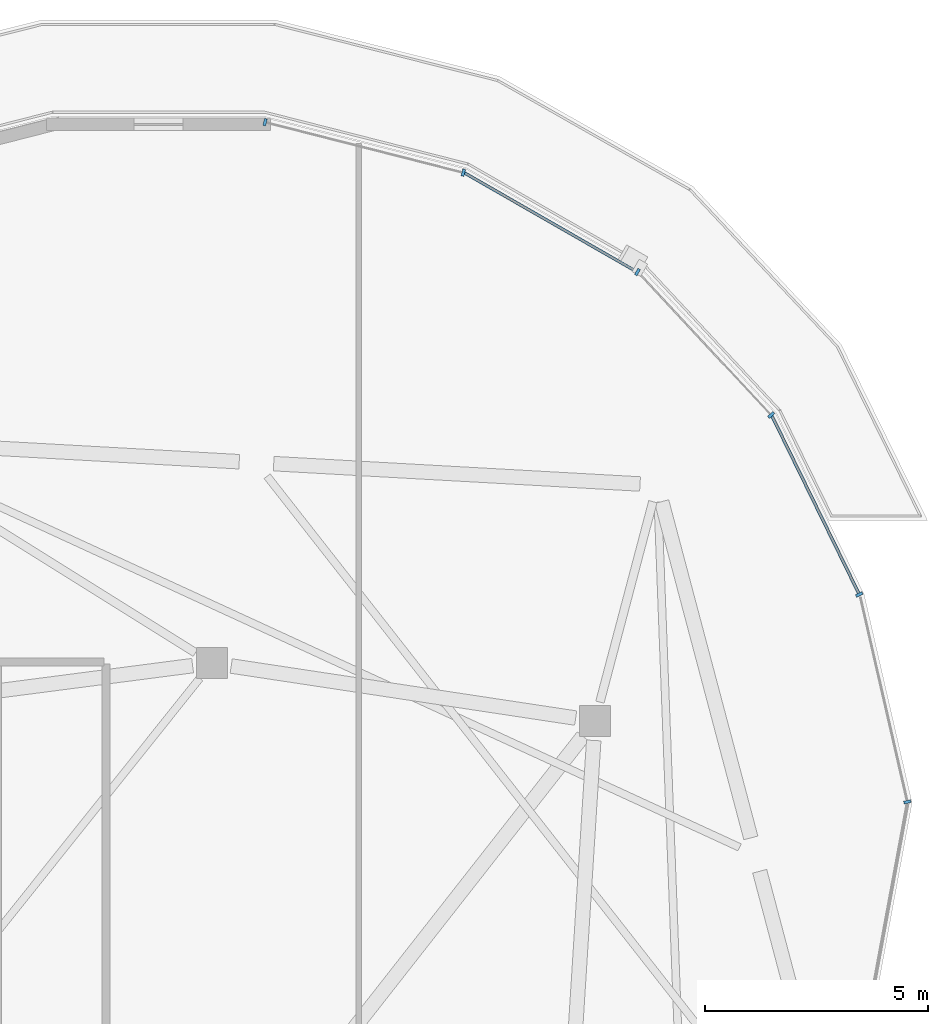
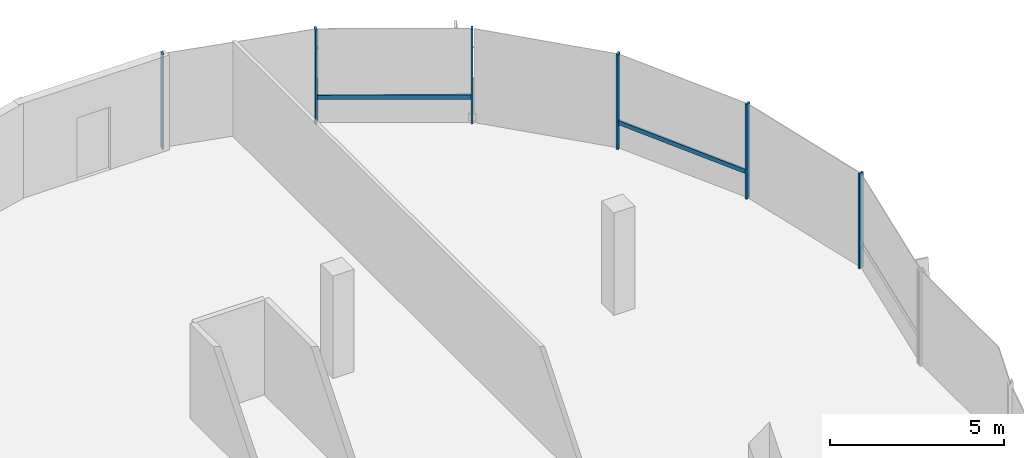
# One storey, part 17 of 31: 8 members, 1 element without a shape of its own.
"""IFC4 building model written with IfcOpenShell, lengths in metres."""

from ifc_helpers import new_model, si_unit, direction, frame, origin, origin_2d, place, context, subcontext, project, spatial, rectangle, extrude, material, material_profile, profile_set, type_object, element, aggregate, save


model = new_model("IFC4")

# Units and contexts
model_context = context("Model", 3, precision=1e-05, world=origin(), true_north=direction((0.0, 1.0)))
body_context = subcontext(model_context, "Body", "Model", "MODEL_VIEW")
ifc_project = project(units=[si_unit("LENGTHUNIT", "METRE"), si_unit("AREAUNIT", "SQUARE_METRE"), si_unit("VOLUMEUNIT", "CUBIC_METRE"), si_unit("PLANEANGLEUNIT", "RADIAN"), si_unit("MASSUNIT", "GRAM", prefix="KILO"), si_unit("THERMODYNAMICTEMPERATUREUNIT", "KELVIN"), si_unit("POWERUNIT", "WATT")], contexts=[model_context])

# Site, building, storey
site_placement = place(None, origin())
site = spatial("IfcSite", under=ifc_project, at=site_placement, CompositionType="ELEMENT")
building_placement = place(site_placement, origin())
building = spatial("IfcBuilding", under=site, at=building_placement, Name="Cundina Bronze Exchange", CompositionType="ELEMENT")
storey_placement = place(building_placement, frame((0.0, 0.0, 275.60009765625)))
storey = spatial("IfcBuildingStorey", under=building, at=storey_placement, Name="L73", CompositionType="ELEMENT", Elevation=275.60009765625)

# Curtain wall, members
ifc_material = material(Name="Anodised Bronze Aluminium 6063-T6", Category="aluminium")
curtain_wall_type = type_object("IfcCurtainWallType", Name="CWS-CRN-TMD", PredefinedType="NOTDEFINED", material=ifc_material)
curtain_wall_placement = place(storey_placement, origin())
curtain_wall = element("IfcCurtainWall", 1, at=curtain_wall_placement, inside=storey, type_object=curtain_wall_type, Name="L73 CW-07 Curtain Wall Run CWR-L73-E1", PredefinedType="NOTDEFINED")
ifc_material_profile_1 = material_profile(ifc_material, rectangle(XDim=0.06494140625, YDim=0.159912109375, at=origin_2d()), Name="AL65X160", Category="aluminium")
ifc_profile_set_1 = profile_set([ifc_material_profile_1], Name="Anodised Bronze Aluminium 6063-T6")
member_type_1 = type_object("IfcMemberType", Name="CWM-MUL-160", PredefinedType="MULLION", material=ifc_profile_set_1)
member_1_placement = place(storey_placement, frame((48.814208984375, 7.683837890625, 0.0), z_axis=(0.0, 0.0, 1.0), x_axis=(-0.223930573241, 0.974605098677, 0.0)))
member_1 = element("IfcMember", 2, at=member_1_placement, type_object=member_type_1, Name="CW-07 Mullion 2", PredefinedType="MULLION", context=body_context, shape_type="SweptSolid", body=[
    extrude(rectangle(XDim=0.06494140625, YDim=0.159912109375, at=origin_2d()), origin(), (0.0, 0.0, 1.0), 3.33984375),
])
member_2_placement = place(storey_placement, frame((47.736083984375, 12.33984375, 0.0), z_axis=(0.0, 0.0, 1.0), x_axis=(-0.439468903432, 0.898257804261, 0.0)))
member_2 = element("IfcMember", 3, at=member_2_placement, type_object=member_type_1, Name="CW-07 Mullion 3", PredefinedType="MULLION", context=body_context, shape_type="SweptSolid", body=[
    extrude(rectangle(XDim=0.06494140625, YDim=0.159912109375, at=origin_2d()), origin(), (0.0, 0.0, 1.0), 3.33984375),
])
member_3_placement = place(storey_placement, frame((45.7548828125, 16.3701171875, 0.0), z_axis=(0.0, 0.0, 1.0), x_axis=(-0.681487612702, 0.731829648029, 0.0)))
member_3 = element("IfcMember", 4, at=member_3_placement, type_object=member_type_1, Name="CW-07 Mullion 4", PredefinedType="MULLION", context=body_context, shape_type="SweptSolid", body=[
    extrude(rectangle(XDim=0.06494140625, YDim=0.159912109375, at=origin_2d()), origin(), (0.0, 0.0, 1.0), 3.33984375),
])
member_4_placement = place(storey_placement, frame((42.75390625, 19.579833984375, 0.0), z_axis=(0.0, 0.0, 1.0), x_axis=(-0.867418288651, 0.497579654441, 0.0)))
member_4 = element("IfcMember", 5, at=member_4_placement, type_object=member_type_1, Name="CW-07 Mullion 5", PredefinedType="MULLION", context=body_context, shape_type="SweptSolid", body=[
    extrude(rectangle(XDim=0.06494140625, YDim=0.159912109375, at=origin_2d()), origin(), (0.0, 0.0, 1.0), 3.33984375),
])
member_5_placement = place(storey_placement, frame((38.84423828125, 21.812255859375, 0.0), z_axis=(0.0, 0.0, 1.0), x_axis=(-0.969058826108, 0.246829883811, 0.0)))
member_5 = element("IfcMember", 6, at=member_5_placement, type_object=member_type_1, Name="CW-07 Mullion 6", PredefinedType="MULLION", context=body_context, shape_type="SweptSolid", body=[
    extrude(rectangle(XDim=0.06494140625, YDim=0.159912109375, at=origin_2d()), origin(), (0.0, 0.0, 1.0), 3.33984375),
])
member_6_placement = place(storey_placement, frame((34.393310546875, 22.94580078125, 0.0), z_axis=(0.0, 0.0, 1.0), x_axis=(-0.969058826108, 0.246829883811, 0.0)))
member_6 = element("IfcMember", 7, at=member_6_placement, type_object=member_type_1, Name="CW-07 End Mullion", PredefinedType="MULLION", context=body_context, shape_type="SweptSolid", body=[
    extrude(rectangle(XDim=0.06494140625, YDim=0.159912109375, at=origin_2d()), origin(), (0.0, 0.0, 1.0), 3.33984375),
])
ifc_material_profile_2 = material_profile(ifc_material, rectangle(XDim=0.06494140625, YDim=0.14990234375, at=origin_2d()), Name="AL65X150", Category="aluminium")
ifc_profile_set_2 = profile_set([ifc_material_profile_2], Name="Anodised Bronze Aluminium 6063-T6")
member_type_2 = type_object("IfcMemberType", Name="CWM-TRN-150", PredefinedType="USERDEFINED", material=ifc_profile_set_2)
member_7_placement = place(storey_placement, frame((47.720458984375, 12.3720703125, 0.919921875), z_axis=(-0.439416660299, 0.898283362114, 0.0), x_axis=(-0.898283362114, -0.439416660299, 0.0)))
member_7 = element("IfcMember", 8, at=member_7_placement, type_object=member_type_2, Name="CW-07 Spandrel Transom 3", ObjectType="TRANSOM", PredefinedType="USERDEFINED", context=body_context, shape_type="SweptSolid", body=[
    extrude(rectangle(XDim=0.06494140625, YDim=0.14990234375, at=origin_2d()), origin(), (0.0, 0.0, 1.0), 4.430908203125),
])
member_8_placement = place(storey_placement, frame((42.722900390625, 19.59765625, 0.919921875), z_axis=(-0.867467147117, 0.497494470997, 0.0), x_axis=(-0.497494470997, -0.867467147117, 0.0)))
member_8 = element("IfcMember", 9, at=member_8_placement, type_object=member_type_2, Name="CW-07 Spandrel Transom 5", ObjectType="TRANSOM", PredefinedType="USERDEFINED", context=body_context, shape_type="SweptSolid", body=[
    extrude(rectangle(XDim=0.06494140625, YDim=0.14990234375, at=origin_2d()), origin(), (0.0, 0.0, 1.0), 4.439697265625),
])
aggregate(curtain_wall, [member_1, member_2, member_7, member_3, member_4, member_8, member_5, member_6])

save(model, "model.ifc")
